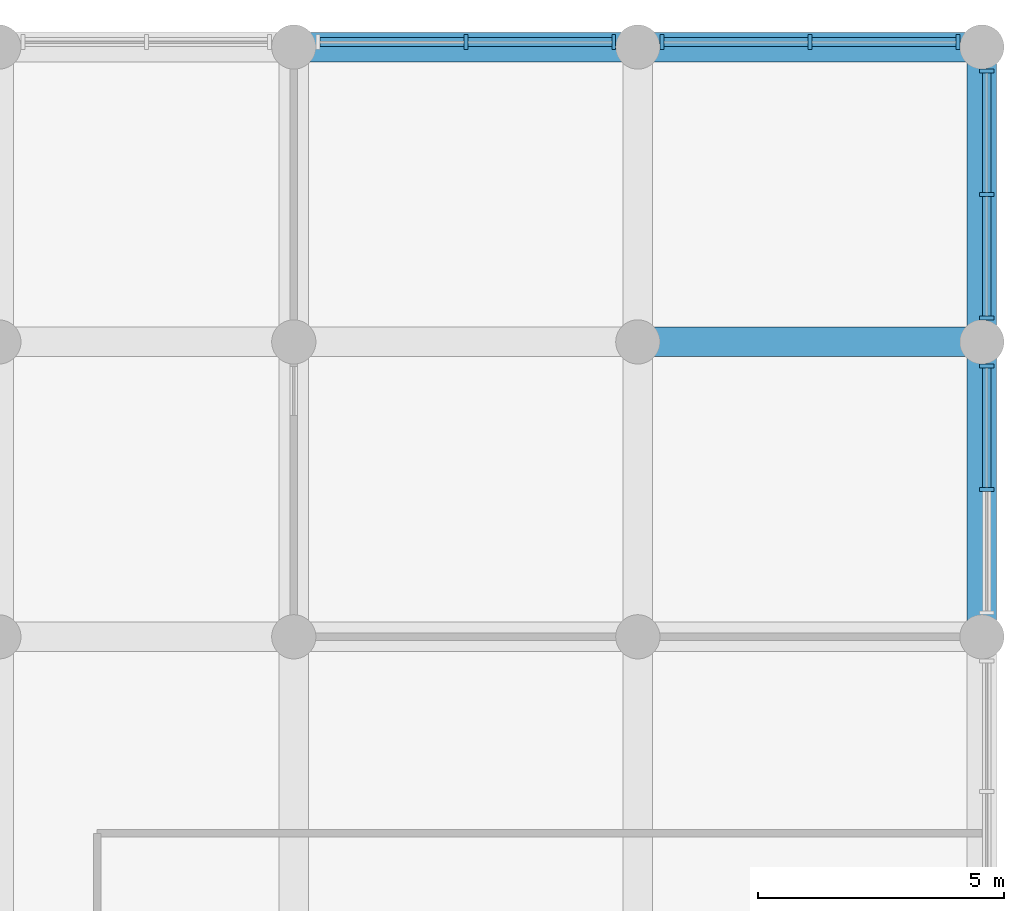
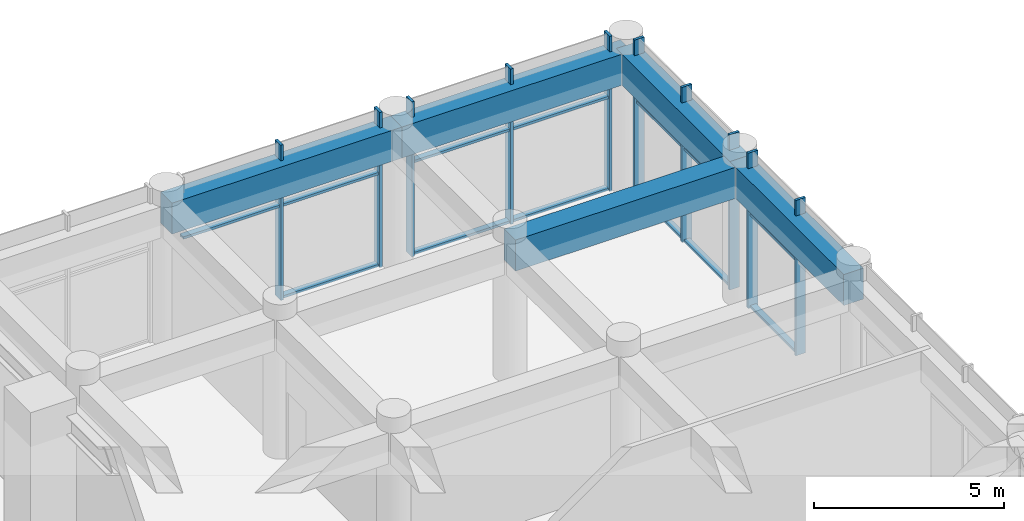
# One storey, part 8 of 23: 23 members, 5 beams, 4 elements without a shape of their own.
"""IFC4 building model written with IfcOpenShell, lengths in metres."""

from ifc_helpers import new_model, si_unit, direction, frame, origin, origin_2d, place, context, subcontext, project, spatial, rectangle, extrude, material, material_profile, profile_set, type_object, element, aggregate, save


model = new_model("IFC4")

# Units and contexts
model_context = context("Model", 3, precision=1e-05, world=origin(), true_north=direction((0.0, 1.0)))
body_context = subcontext(model_context, "Body", "Model", "MODEL_VIEW")
ifc_project = project(units=[si_unit("LENGTHUNIT", "METRE"), si_unit("AREAUNIT", "SQUARE_METRE"), si_unit("VOLUMEUNIT", "CUBIC_METRE"), si_unit("PLANEANGLEUNIT", "RADIAN"), si_unit("MASSUNIT", "GRAM", prefix="KILO")], contexts=[model_context])

# Site, building, storey
site_placement = place(None, origin())
site = spatial("IfcSite", under=ifc_project, at=site_placement, CompositionType="ELEMENT")
building_placement = place(site_placement, origin())
building = spatial("IfcBuilding", under=site, at=building_placement, Name="Svetlomir Tower", CompositionType="ELEMENT")
storey_placement = place(building_placement, frame((0.0, 0.0, 6.0)))
storey = spatial("IfcBuildingStorey", under=building, at=storey_placement, Name="L01", CompositionType="ELEMENT", Elevation=6.0)

# Curtain wall, members
ifc_material_1 = material(Name="Bronze anodised aluminium curtain wall", Category="aluminium")
curtain_wall_type = type_object("IfcCurtainWallType", Name="CURTAIN WALL CW5 PODIUM", PredefinedType="NOTDEFINED", material=ifc_material_1)
curtain_wall_1_placement = place(storey_placement, origin())
curtain_wall_1 = element("IfcCurtainWall", 1, at=curtain_wall_1_placement, inside=storey, type_object=curtain_wall_type, Name="Curtain wall CW5 L01", PredefinedType="NOTDEFINED")
ifc_material_2 = material(Name="Bronze anodised aluminium", Category="aluminium")
ifc_material_profile_1 = material_profile(ifc_material_2, rectangle(XDim=0.080078125, YDim=0.300048828125, at=origin_2d()), Name="AL 80x300")
ifc_profile_set_1 = profile_set([ifc_material_profile_1], Name="Bronze anodised aluminium 6063-T6")
member_type_1 = type_object("IfcMemberType", Name="CW5 MULLION 80x300", PredefinedType="MULLION", material=ifc_profile_set_1)
member_1_placement = place(storey_placement, frame((63.10009765625, 33.0, 0.0), z_axis=(0.0, 0.0, 1.0), x_axis=(0.0, 1.0, 0.0)))
member_1 = element("IfcMember", 2, at=member_1_placement, type_object=member_type_1, Name="CW5 mullion 2", PredefinedType="MULLION", context=body_context, shape_type="SweptSolid", body=[
    extrude(rectangle(XDim=0.080078125, YDim=0.300048828125, at=origin_2d()), origin(), (0.0, 0.0, 1.0), 5.0),
])
member_2_placement = place(storey_placement, frame((63.10009765625, 35.510009765625, 0.0), z_axis=(0.0, 0.0, 1.0), x_axis=(0.0, 1.0, 0.0)))
member_2 = element("IfcMember", 3, at=member_2_placement, type_object=member_type_1, Name="CW5 mullion 3", PredefinedType="MULLION", context=body_context, shape_type="SweptSolid", body=[
    extrude(rectangle(XDim=0.080078125, YDim=0.300048828125, at=origin_2d()), origin(), (0.0, 0.0, 1.0), 5.0),
])

curtain_wall_2_placement = place(storey_placement, origin())
curtain_wall_2 = element("IfcCurtainWall", 4, at=curtain_wall_2_placement, inside=storey, type_object=curtain_wall_type, Name="Curtain wall CW5 L01", PredefinedType="NOTDEFINED")
member_3_placement = place(storey_placement, frame((63.10009765625, 36.489990234375, 0.0), z_axis=(0.0, 0.0, 1.0), x_axis=(0.0, 1.0, 0.0)))
member_3 = element("IfcMember", 5, at=member_3_placement, type_object=member_type_1, Name="CW5 mullion 1", PredefinedType="MULLION", context=body_context, shape_type="SweptSolid", body=[
    extrude(rectangle(XDim=0.080078125, YDim=0.300048828125, at=origin_2d()), origin(), (0.0, 0.0, 1.0), 5.0),
])
member_4_placement = place(storey_placement, frame((63.10009765625, 39.0, 0.0), z_axis=(0.0, 0.0, 1.0), x_axis=(0.0, 1.0, 0.0)))
member_4 = element("IfcMember", 6, at=member_4_placement, type_object=member_type_1, Name="CW5 mullion 2", PredefinedType="MULLION", context=body_context, shape_type="SweptSolid", body=[
    extrude(rectangle(XDim=0.080078125, YDim=0.300048828125, at=origin_2d()), origin(), (0.0, 0.0, 1.0), 5.0),
])
member_5_placement = place(storey_placement, frame((63.10009765625, 41.510009765625, 0.0), z_axis=(0.0, 0.0, 1.0), x_axis=(0.0, 1.0, 0.0)))
member_5 = element("IfcMember", 7, at=member_5_placement, type_object=member_type_1, Name="CW5 mullion 3", PredefinedType="MULLION", context=body_context, shape_type="SweptSolid", body=[
    extrude(rectangle(XDim=0.080078125, YDim=0.300048828125, at=origin_2d()), origin(), (0.0, 0.0, 1.0), 5.0),
])

curtain_wall_3_placement = place(storey_placement, origin())
curtain_wall_3 = element("IfcCurtainWall", 8, at=curtain_wall_3_placement, inside=storey, type_object=curtain_wall_type, Name="Curtain wall CW5 L01", PredefinedType="NOTDEFINED")
member_6_placement = place(storey_placement, frame((62.510009765625, 42.10009765625, 0.0), z_axis=(0.0, 0.0, 1.0), x_axis=(-1.0, 0.0, 0.0)))
member_6 = element("IfcMember", 9, at=member_6_placement, type_object=member_type_1, Name="CW5 mullion 1", PredefinedType="MULLION", context=body_context, shape_type="SweptSolid", body=[
    extrude(rectangle(XDim=0.080078125, YDim=0.300048828125, at=origin_2d()), origin(), (0.0, 0.0, 1.0), 5.0),
])
member_7_placement = place(storey_placement, frame((59.5, 42.10009765625, 0.0), z_axis=(0.0, 0.0, 1.0), x_axis=(-1.0, 0.0, 0.0)))
member_7 = element("IfcMember", 10, at=member_7_placement, type_object=member_type_1, Name="CW5 mullion 2", PredefinedType="MULLION", context=body_context, shape_type="SweptSolid", body=[
    extrude(rectangle(XDim=0.080078125, YDim=0.300048828125, at=origin_2d()), origin(), (0.0, 0.0, 1.0), 5.0),
])
member_8_placement = place(storey_placement, frame((56.489990234375, 42.10009765625, 0.0), z_axis=(0.0, 0.0, 1.0), x_axis=(-1.0, 0.0, 0.0)))
member_8 = element("IfcMember", 11, at=member_8_placement, type_object=member_type_1, Name="CW5 mullion 3", PredefinedType="MULLION", context=body_context, shape_type="SweptSolid", body=[
    extrude(rectangle(XDim=0.080078125, YDim=0.300048828125, at=origin_2d()), origin(), (0.0, 0.0, 1.0), 5.0),
])

curtain_wall_4_placement = place(storey_placement, origin())
curtain_wall_4 = element("IfcCurtainWall", 12, at=curtain_wall_4_placement, inside=storey, type_object=curtain_wall_type, Name="Curtain wall CW5 L01", PredefinedType="NOTDEFINED")
member_9_placement = place(storey_placement, frame((55.510009765625, 42.10009765625, 0.0), z_axis=(0.0, 0.0, 1.0), x_axis=(-1.0, 0.0, 0.0)))
member_9 = element("IfcMember", 13, at=member_9_placement, type_object=member_type_1, Name="CW5 mullion 1", PredefinedType="MULLION", context=body_context, shape_type="SweptSolid", body=[
    extrude(rectangle(XDim=0.080078125, YDim=0.300048828125, at=origin_2d()), origin(), (0.0, 0.0, 1.0), 5.0),
])
member_10_placement = place(storey_placement, frame((52.5, 42.10009765625, 0.0), z_axis=(0.0, 0.0, 1.0), x_axis=(-1.0, 0.0, 0.0)))
member_10 = element("IfcMember", 14, at=member_10_placement, type_object=member_type_1, Name="CW5 mullion 2", PredefinedType="MULLION", context=body_context, shape_type="SweptSolid", body=[
    extrude(rectangle(XDim=0.080078125, YDim=0.300048828125, at=origin_2d()), origin(), (0.0, 0.0, 1.0), 5.0),
])

# Member
ifc_material_3 = material(Name="Bronze anodised aluminium", Category="aluminium")
ifc_material_profile_2 = material_profile(ifc_material_3, rectangle(XDim=0.179931640625, YDim=0.080078125, at=origin_2d()), Name="AL 180x80")
ifc_profile_set_2 = profile_set([ifc_material_profile_2], Name="Bronze anodised aluminium 6063-T6")
member_type_2 = type_object("IfcMemberType", Name="CW5 TRANSOM 80x180", PredefinedType="USERDEFINED", material=ifc_profile_set_2)
member_11_placement = place(storey_placement, frame((63.10009765625, 33.0400390625, 0.0400390625), z_axis=(0.0, 1.0, 0.0), x_axis=(-1.0, 0.0, 0.0)))
member_11 = element("IfcMember", 15, at=member_11_placement, type_object=member_type_2, Name="CW5 transom 2.1", ObjectType="TRANSOM", PredefinedType="USERDEFINED", context=body_context, shape_type="SweptSolid", body=[
    extrude(rectangle(XDim=0.179931640625, YDim=0.080078125, at=origin_2d()), origin(), (0.0, 0.0, 1.0), 2.429931640625),
])

member_12_placement = place(storey_placement, frame((63.10009765625, 33.0400390625, 3.0), z_axis=(0.0, 1.0, 0.0), x_axis=(-1.0, 0.0, 0.0)))
member_12 = element("IfcMember", 16, at=member_12_placement, type_object=member_type_2, Name="CW5 transom 2.2", ObjectType="TRANSOM", PredefinedType="USERDEFINED", context=body_context, shape_type="SweptSolid", body=[
    extrude(rectangle(XDim=0.179931640625, YDim=0.080078125, at=origin_2d()), origin(), (0.0, 0.0, 1.0), 2.429931640625),
])

aggregate(curtain_wall_1, [member_1, member_2, member_11, member_12])

member_13_placement = place(storey_placement, frame((63.10009765625, 36.530029296875, 0.0400390625), z_axis=(0.0, 1.0, 0.0), x_axis=(-1.0, 0.0, 0.0)))
member_13 = element("IfcMember", 17, at=member_13_placement, type_object=member_type_2, Name="CW5 transom 1.1", ObjectType="TRANSOM", PredefinedType="USERDEFINED", context=body_context, shape_type="SweptSolid", body=[
    extrude(rectangle(XDim=0.179931640625, YDim=0.080078125, at=origin_2d()), origin(), (0.0, 0.0, 1.0), 2.429931640625),
])

member_14_placement = place(storey_placement, frame((63.10009765625, 36.530029296875, 3.0), z_axis=(0.0, 1.0, 0.0), x_axis=(-1.0, 0.0, 0.0)))
member_14 = element("IfcMember", 18, at=member_14_placement, type_object=member_type_2, Name="CW5 transom 1.2", ObjectType="TRANSOM", PredefinedType="USERDEFINED", context=body_context, shape_type="SweptSolid", body=[
    extrude(rectangle(XDim=0.179931640625, YDim=0.080078125, at=origin_2d()), origin(), (0.0, 0.0, 1.0), 2.429931640625),
])

member_15_placement = place(storey_placement, frame((63.10009765625, 39.0400390625, 0.0400390625), z_axis=(0.0, 1.0, 0.0), x_axis=(-1.0, 0.0, 0.0)))
member_15 = element("IfcMember", 19, at=member_15_placement, type_object=member_type_2, Name="CW5 transom 2.1", ObjectType="TRANSOM", PredefinedType="USERDEFINED", context=body_context, shape_type="SweptSolid", body=[
    extrude(rectangle(XDim=0.179931640625, YDim=0.080078125, at=origin_2d()), origin(), (0.0, 0.0, 1.0), 2.429931640625),
])

member_16_placement = place(storey_placement, frame((63.10009765625, 39.0400390625, 3.0), z_axis=(0.0, 1.0, 0.0), x_axis=(-1.0, 0.0, 0.0)))
member_16 = element("IfcMember", 20, at=member_16_placement, type_object=member_type_2, Name="CW5 transom 2.2", ObjectType="TRANSOM", PredefinedType="USERDEFINED", context=body_context, shape_type="SweptSolid", body=[
    extrude(rectangle(XDim=0.179931640625, YDim=0.080078125, at=origin_2d()), origin(), (0.0, 0.0, 1.0), 2.429931640625),
])

aggregate(curtain_wall_2, [member_3, member_4, member_5, member_13, member_14, member_15, member_16])

member_17_placement = place(storey_placement, frame((62.469970703125, 42.10009765625, 0.0400390625), z_axis=(-1.0, 0.0, 0.0), x_axis=(0.0, -1.0, 0.0)))
member_17 = element("IfcMember", 21, at=member_17_placement, type_object=member_type_2, Name="CW5 transom 1.1", ObjectType="TRANSOM", PredefinedType="USERDEFINED", context=body_context, shape_type="SweptSolid", body=[
    extrude(rectangle(XDim=0.179931640625, YDim=0.080078125, at=origin_2d()), origin(), (0.0, 0.0, 1.0), 2.929931640625),
])

member_18_placement = place(storey_placement, frame((62.469970703125, 42.10009765625, 3.0), z_axis=(-1.0, 0.0, 0.0), x_axis=(0.0, -1.0, 0.0)))
member_18 = element("IfcMember", 22, at=member_18_placement, type_object=member_type_2, Name="CW5 transom 1.2", ObjectType="TRANSOM", PredefinedType="USERDEFINED", context=body_context, shape_type="SweptSolid", body=[
    extrude(rectangle(XDim=0.179931640625, YDim=0.080078125, at=origin_2d()), origin(), (0.0, 0.0, 1.0), 2.929931640625),
])

member_19_placement = place(storey_placement, frame((59.4599609375, 42.10009765625, 0.0400390625), z_axis=(-1.0, 0.0, 0.0), x_axis=(0.0, -1.0, 0.0)))
member_19 = element("IfcMember", 23, at=member_19_placement, type_object=member_type_2, Name="CW5 transom 2.1", ObjectType="TRANSOM", PredefinedType="USERDEFINED", context=body_context, shape_type="SweptSolid", body=[
    extrude(rectangle(XDim=0.179931640625, YDim=0.080078125, at=origin_2d()), origin(), (0.0, 0.0, 1.0), 2.929931640625),
])

member_20_placement = place(storey_placement, frame((59.4599609375, 42.10009765625, 3.0), z_axis=(-1.0, 0.0, 0.0), x_axis=(0.0, -1.0, 0.0)))
member_20 = element("IfcMember", 24, at=member_20_placement, type_object=member_type_2, Name="CW5 transom 2.2", ObjectType="TRANSOM", PredefinedType="USERDEFINED", context=body_context, shape_type="SweptSolid", body=[
    extrude(rectangle(XDim=0.179931640625, YDim=0.080078125, at=origin_2d()), origin(), (0.0, 0.0, 1.0), 2.929931640625),
])

aggregate(curtain_wall_3, [member_6, member_7, member_8, member_17, member_18, member_19, member_20])

member_21_placement = place(storey_placement, frame((55.469970703125, 42.10009765625, 0.0400390625), z_axis=(-1.0, 0.0, 0.0), x_axis=(0.0, -1.0, 0.0)))
member_21 = element("IfcMember", 25, at=member_21_placement, type_object=member_type_2, Name="CW5 transom 1.1", ObjectType="TRANSOM", PredefinedType="USERDEFINED", context=body_context, shape_type="SweptSolid", body=[
    extrude(rectangle(XDim=0.179931640625, YDim=0.080078125, at=origin_2d()), origin(), (0.0, 0.0, 1.0), 2.929931640625),
])

member_22_placement = place(storey_placement, frame((55.469970703125, 42.10009765625, 3.0), z_axis=(-1.0, 0.0, 0.0), x_axis=(0.0, -1.0, 0.0)))
member_22 = element("IfcMember", 26, at=member_22_placement, type_object=member_type_2, Name="CW5 transom 1.2", ObjectType="TRANSOM", PredefinedType="USERDEFINED", context=body_context, shape_type="SweptSolid", body=[
    extrude(rectangle(XDim=0.179931640625, YDim=0.080078125, at=origin_2d()), origin(), (0.0, 0.0, 1.0), 2.929931640625),
])

member_23_placement = place(storey_placement, frame((52.4599609375, 42.10009765625, 3.0), z_axis=(-1.0, 0.0, 0.0), x_axis=(0.0, -1.0, 0.0)))
member_23 = element("IfcMember", 27, at=member_23_placement, type_object=member_type_2, Name="CW5 transom 2.2", ObjectType="TRANSOM", PredefinedType="USERDEFINED", context=body_context, shape_type="SweptSolid", body=[
    extrude(rectangle(XDim=0.179931640625, YDim=0.080078125, at=origin_2d()), origin(), (0.0, 0.0, 1.0), 2.929931640625),
])

aggregate(curtain_wall_4, [member_9, member_10, member_21, member_22, member_23])

# Beams
ifc_material_4 = material(Name="Concrete C60/75", Category="concrete")
ifc_material_profile_3 = material_profile(ifc_material_4, rectangle(XDim=0.60009765625, YDim=1.0, at=origin_2d()), Name="RC 600x1000")
ifc_profile_set_3 = profile_set([ifc_material_profile_3], Name="Concrete C60/75")
beam_type = type_object("IfcBeamType", Name="PODIUM BEAM RC 600x1000", PredefinedType="BEAM", material=ifc_profile_set_3)
for number, where, z_axis, x_axis, name in (
    (28, (49.0, 42.0, 4.0), (1.0, 0.0, 0.0), (0.0, 1.0, 0.0), "Podium beam 49/42 to 56/42 under L02"),
    (29, (56.0, 36.0, 4.0), (1.0, 0.0, 0.0), (0.0, 1.0, 0.0), "Podium beam 56/36 to 63/36 under L02"),
    (30, (56.0, 42.0, 4.0), (1.0, 0.0, 0.0), (0.0, 1.0, 0.0), "Podium beam 56/42 to 63/42 under L02"),
):
    element("IfcBeam", number, at=place(storey_placement, frame(where, z_axis=z_axis, x_axis=x_axis)), inside=storey, type_object=beam_type, Name=name, PredefinedType="BEAM", context=body_context, shape_type="SweptSolid", body=[
        extrude(rectangle(XDim=0.60009765625, YDim=1.0, at=origin_2d()), origin(), (0.0, 0.0, 1.0), 7.0),
    ])
for number, where, z_axis, x_axis, name in (
    (31, (63.0, 30.0, 4.0), (0.0, 1.0, 0.0), (-1.0, 0.0, 0.0), "Podium beam 63/30 to 63/36 under L02"),
    (32, (63.0, 36.0, 4.0), (0.0, 1.0, 0.0), (-1.0, 0.0, 0.0), "Podium beam 63/36 to 63/42 under L02"),
):
    element("IfcBeam", number, at=place(storey_placement, frame(where, z_axis=z_axis, x_axis=x_axis)), inside=storey, type_object=beam_type, Name=name, PredefinedType="BEAM", context=body_context, shape_type="SweptSolid", body=[
        extrude(rectangle(XDim=0.60009765625, YDim=1.0, at=origin_2d()), origin(), (0.0, 0.0, 1.0), 6.0),
    ])

save(model, "model.ifc")
